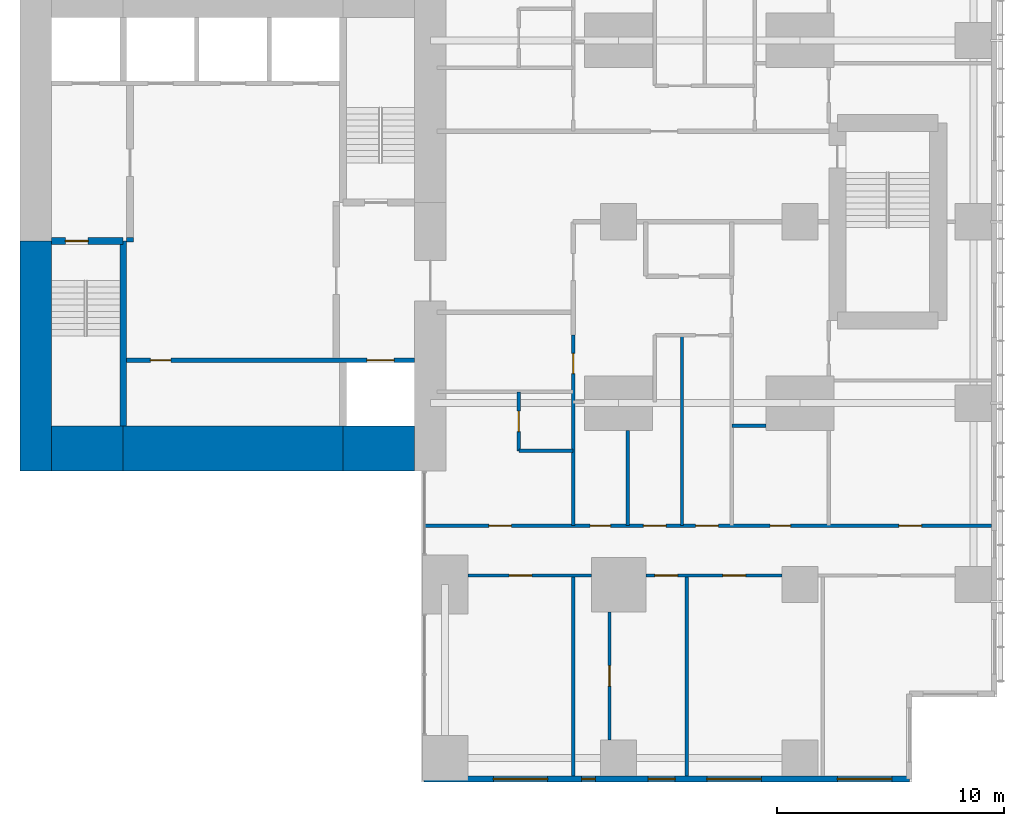
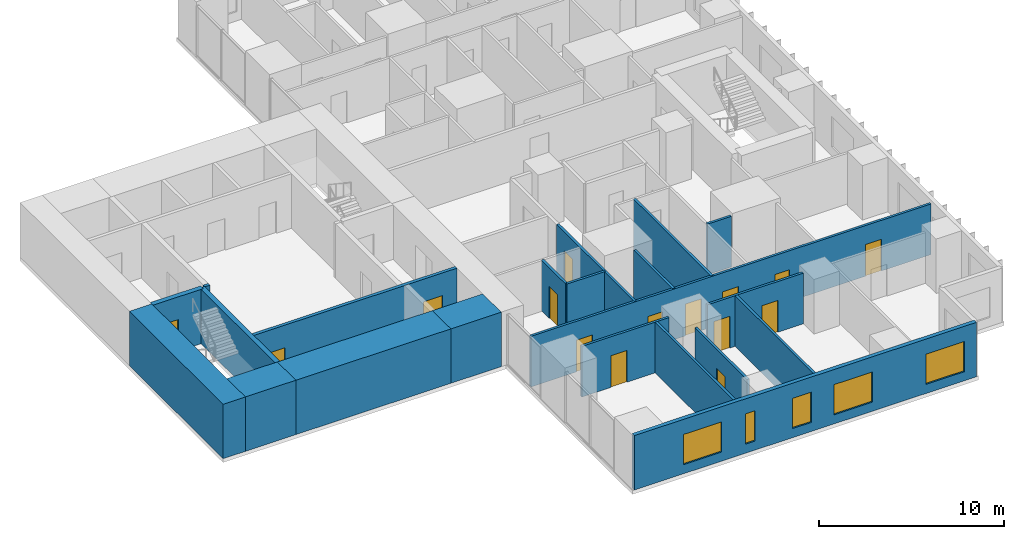
# One storey, part 7 of 12: 21 walls, 15 doors, 5 windows, 20 openings.
"""IFC4 building model written with IfcOpenShell, lengths in metres."""

from ifc_helpers import new_model, si_unit, direction, frame, frame_2d, origin, place, context, subcontext, project, spatial, rectangle, extrude, material, layer, layer_set, type_object, element, fill, save


model = new_model("IFC4")

# Units and contexts
model_context = context("Model", 3, precision=1e-05, world=origin(), true_north=direction((0.0, 1.0)))
body_context = subcontext(model_context, "Body", "Model", "MODEL_VIEW")
ifc_project = project(units=[si_unit("LENGTHUNIT", "METRE"), si_unit("AREAUNIT", "SQUARE_METRE"), si_unit("VOLUMEUNIT", "CUBIC_METRE"), si_unit("PLANEANGLEUNIT", "RADIAN"), si_unit("MASSUNIT", "GRAM", prefix="KILO")], contexts=[model_context])

# Site, building, storey
site_placement = place(None, origin())
site = spatial("IfcSite", under=ifc_project, at=site_placement, CompositionType="ELEMENT")
building_placement = place(site_placement, origin())
building = spatial("IfcBuilding", under=site, at=building_placement, Name="Cleftline Residences", CompositionType="ELEMENT")
storey_placement = place(building_placement, frame((0.0, 0.0, 244.800048828125)))
storey = spatial("IfcBuildingStorey", under=building, at=storey_placement, Name="L64", CompositionType="ELEMENT", Elevation=244.800048828125)

# Walls
ifc_material_1 = material(Name="Concrete B70", Category="concrete")
ifc_layer_1 = layer(ifc_material_1, 1.39990234375)
ifc_layer_set_1 = layer_set([ifc_layer_1], Name="CORE WALL 1400")
wall_type_1 = type_object("IfcWallType", Name="CORE WALL 1400", PredefinedType="SHEAR", material=ifc_layer_set_1)
wall_1_placement = place(storey_placement, frame((24.300048828125, 13.0, 0.0), z_axis=(0.0, 0.0, 1.0), x_axis=(0.0, 1.0, 0.0)))
element("IfcWall", 1, at=wall_1_placement, inside=storey, type_object=wall_type_1, Name="Core wall W0", PredefinedType="SHEAR", context=body_context, shape_type="SweptSolid", body=[
    extrude(rectangle(XDim=10.14990234375, YDim=1.39990234375, at=frame_2d((5.074951171875, 0.0))), origin(), (0.0, 0.0, 1.0), 3.599853515625),
])
ifc_material_2 = material(Name="Concrete B70", Category="concrete")
ifc_layer_2 = layer(ifc_material_2, 2.0)
ifc_layer_set_2 = layer_set([ifc_layer_2], Name="CORE WALL 2000")
wall_type_2 = type_object("IfcWallType", Name="CORE WALL 2000", PredefinedType="SHEAR", material=ifc_layer_set_2)
wall_2_placement = place(storey_placement, frame((25.0, 14.0, 0.0), z_axis=(0.0, 0.0, 1.0), x_axis=(1.0, 0.0, 0.0)))
element("IfcWall", 2, at=wall_2_placement, inside=storey, type_object=wall_type_2, Name="Core wall S1", PredefinedType="SHEAR", context=body_context, shape_type="SweptSolid", body=[
    extrude(rectangle(XDim=3.14990234375, YDim=2.0, at=frame_2d((1.574951171875, 0.0))), origin(), (0.0, 0.0, 1.0), 3.599853515625),
])
wall_3_placement = place(storey_placement, frame((28.14990234375, 14.0, 0.0), z_axis=(0.0, 0.0, 1.0), x_axis=(1.0, 0.0, 0.0)))
element("IfcWall", 3, at=wall_3_placement, inside=storey, type_object=wall_type_2, Name="Core wall S2", PredefinedType="SHEAR", context=body_context, shape_type="SweptSolid", body=[
    extrude(rectangle(XDim=9.7001953125, YDim=2.0, at=frame_2d((4.85009765625, 0.0))), origin(), (0.0, 0.0, 1.0), 3.599853515625),
])
wall_4_placement = place(storey_placement, frame((37.85009765625, 14.0, 0.0), z_axis=(0.0, 0.0, 1.0), x_axis=(1.0, 0.0, 0.0)))
element("IfcWall", 4, at=wall_4_placement, inside=storey, type_object=wall_type_2, Name="Core wall S3", PredefinedType="SHEAR", context=body_context, shape_type="SweptSolid", body=[
    extrude(rectangle(XDim=3.14990234375, YDim=2.0, at=frame_2d((1.574951171875, 0.0))), origin(), (0.0, 0.0, 1.0), 3.599853515625),
])
ifc_material_3 = material(Name="Concrete B70", Category="concrete")
ifc_layer_3 = layer(ifc_material_3, 0.300048828125)
ifc_layer_set_3 = layer_set([ifc_layer_3], Name="CORE WALL 300")
wall_type_3 = type_object("IfcWallType", Name="CORE WALL 300", PredefinedType="SHEAR", material=ifc_layer_set_3)
wall_5_placement = place(storey_placement, frame((28.14990234375, 15.0, 0.0), z_axis=(0.0, 0.0, 1.0), x_axis=(0.0, 1.0, 0.0)))
element("IfcWall", 5, at=wall_5_placement, inside=storey, type_object=wall_type_3, Name="Core wall SA-E", PredefinedType="SHEAR", context=body_context, shape_type="SweptSolid", body=[
    extrude(rectangle(XDim=8.14990234375, YDim=0.300048828125, at=frame_2d((4.074951171875, 0.0))), origin(), (0.0, 0.0, 1.0), 3.599853515625),
])

# Wall, opening, door
wall_6_placement = place(storey_placement, frame((25.0, 23.14990234375, 0.0), z_axis=(0.0, 0.0, 1.0), x_axis=(1.0, 0.0, 0.0)))
wall_6 = element("IfcWall", 6, at=wall_6_placement, inside=storey, type_object=wall_type_3, Name="Core wall SA-N", PredefinedType="SHEAR", context=body_context, shape_type="SweptSolid", body=[
    extrude(rectangle(XDim=3.14990234375, YDim=0.300048828125, at=frame_2d((1.574951171875, 0.0))), origin(), (0.0, 0.0, 1.0), 3.599853515625),
])
opening_1_placement = place(wall_6_placement, frame((0.60009765625, 0.0, 0.0)))
opening_1 = element("IfcOpeningElement", 7, at=opening_1_placement, cuts=wall_6, Name="Opening D5", PredefinedType="OPENING", context=body_context, shape_type="SweptSolid", body=[
    extrude(rectangle(XDim=1.0, YDim=2.10009765625, at=frame_2d((0.5, 1.050048828125))), frame((0.0, 0.159912109375, 0.0), z_axis=(0.0, -1.0, 0.0), x_axis=(1.0, 0.0, 0.0)), (0.0, 0.0, 1.0), 0.320068359375),
])
ifc_material_4 = material(Name="Steel", Category="steel")
door_type_1 = type_object("IfcDoorType", Name="STAIR DOOR 1000X2100", OperationType="SINGLE_SWING_LEFT", PredefinedType="DOOR", material=ifc_material_4)
door_1_placement = place(opening_1_placement, origin())
door_1 = element("IfcDoor", 8, at=door_1_placement, inside=storey, type_object=door_type_1, Name="Stair A door", OperationType="SINGLE_SWING_RIGHT", OverallHeight=2.10009765625, OverallWidth=1.0, PredefinedType="DOOR", context=body_context, shape_type="SweptSolid", body=[
    extrude(rectangle(XDim=1.0, YDim=2.10009765625, at=frame_2d((0.5, 1.050048828125))), frame((0.0, 0.02490234375, 0.0), z_axis=(0.0, -1.0, 0.0), x_axis=(1.0, 0.0, 0.0)), (0.0, 0.0, 1.0), 0.050048828125),
])
fill(opening_1, door_1)

# Wall, openings, windows
ifc_material_5 = material(Name="Rendered reinforced concrete blockwork", Category="masonry")
ifc_layer_4 = layer(ifc_material_5, 0.25)
ifc_layer_set_4 = layer_set([ifc_layer_4], Name="EXTERNAL WALL 250")
wall_type_4 = type_object("IfcWallType", Name="EXTERNAL WALL 250", PredefinedType="SOLIDWALL", material=ifc_layer_set_4)
wall_7_placement = place(storey_placement, frame((41.425048828125, -0.574951171875, 0.0), z_axis=(0.0, 0.0, 1.0), x_axis=(1.0, 0.0, 0.0)))
wall_7 = element("IfcWall", 9, at=wall_7_placement, inside=storey, type_object=wall_type_4, Name="External wall", PredefinedType="SOLIDWALL", context=body_context, shape_type="SweptSolid", body=[
    extrude(rectangle(XDim=21.39990234375, YDim=0.25, at=frame_2d((10.699951171875, 0.0))), origin(), (0.0, 0.0, 1.0), 3.599853515625),
])
opening_2_placement = place(wall_7_placement, frame((3.050048828125, 0.0, 0.60009765625)))
opening_2 = element("IfcOpeningElement", 10, at=opening_2_placement, cuts=wall_7, Name="Opening W6", PredefinedType="OPENING", context=body_context, shape_type="SweptSolid", body=[
    extrude(rectangle(XDim=2.39990234375, YDim=2.0, at=frame_2d((1.199951171875, 1.0))), frame((0.0, 0.135009765625, 0.0), z_axis=(0.0, -1.0, 0.0), x_axis=(1.0, 0.0, 0.0)), (0.0, 0.0, 1.0), 0.27001953125),
])
opening_3_placement = place(wall_7_placement, frame((6.949951171875, 0.0, 0.60009765625)))
opening_3 = element("IfcOpeningElement", 11, at=opening_3_placement, cuts=wall_7, Name="Opening W7", PredefinedType="OPENING", context=body_context, shape_type="SweptSolid", body=[
    extrude(rectangle(XDim=0.60009765625, YDim=2.0, at=frame_2d((0.300048828125, 1.0))), frame((0.0, 0.135009765625, 0.0), z_axis=(0.0, -1.0, 0.0), x_axis=(1.0, 0.0, 0.0)), (0.0, 0.0, 1.0), 0.27001953125),
])
opening_4_placement = place(wall_7_placement, frame((9.875, 0.0, 0.60009765625)))
opening_4 = element("IfcOpeningElement", 12, at=opening_4_placement, cuts=wall_7, Name="Opening W8", PredefinedType="OPENING", context=body_context, shape_type="SweptSolid", body=[
    extrude(rectangle(XDim=1.199951171875, YDim=2.0, at=frame_2d((0.60009765625, 1.0))), frame((0.0, 0.135009765625, 0.0), z_axis=(0.0, -1.0, 0.0), x_axis=(1.0, 0.0, 0.0)), (0.0, 0.0, 1.0), 0.27001953125),
])
opening_5_placement = place(wall_7_placement, frame((12.47509765625, 0.0, 0.60009765625)))
opening_5 = element("IfcOpeningElement", 13, at=opening_5_placement, cuts=wall_7, Name="Opening W6", PredefinedType="OPENING", context=body_context, shape_type="SweptSolid", body=[
    extrude(rectangle(XDim=2.39990234375, YDim=2.0, at=frame_2d((1.199951171875, 1.0))), frame((0.0, 0.135009765625, 0.0), z_axis=(0.0, -1.0, 0.0), x_axis=(1.0, 0.0, 0.0)), (0.0, 0.0, 1.0), 0.27001953125),
])
opening_6_placement = place(wall_7_placement, frame((18.22509765625, 0.0, 0.60009765625)))
opening_6 = element("IfcOpeningElement", 14, at=opening_6_placement, cuts=wall_7, Name="Opening W6", PredefinedType="OPENING", context=body_context, shape_type="SweptSolid", body=[
    extrude(rectangle(XDim=2.39990234375, YDim=2.0, at=frame_2d((1.199951171875, 1.0))), frame((0.0, 0.135009765625, 0.0), z_axis=(0.0, -1.0, 0.0), x_axis=(1.0, 0.0, 0.0)), (0.0, 0.0, 1.0), 0.27001953125),
])
ifc_material_6 = material(Name="Aluminium frame, clear double glazing", Category="aluminium")
window_type_1 = type_object("IfcWindowType", Name="WINDOW 1200X2000", PartitioningType="DOUBLE_PANEL_VERTICAL", PredefinedType="WINDOW", material=ifc_material_6)
window_1_placement = place(opening_4_placement, origin())
window_1 = element("IfcWindow", 15, at=window_1_placement, inside=storey, type_object=window_type_1, Name="Window", OverallHeight=2.0, OverallWidth=1.199951171875, PartitioningType="SINGLE_PANEL", PredefinedType="WINDOW", context=body_context, shape_type="SweptSolid", body=[
    extrude(rectangle(XDim=1.199951171875, YDim=2.0, at=frame_2d((0.60009765625, 1.0))), frame((0.0, 0.030029296875, 0.0), z_axis=(0.0, -1.0, 0.0), x_axis=(1.0, 0.0, 0.0)), (0.0, 0.0, 1.0), 0.06005859375),
])
fill(opening_4, window_1)
ifc_material_7 = material(Name="Aluminium frame, clear double glazing", Category="aluminium")
window_type_2 = type_object("IfcWindowType", Name="WINDOW 2400X2000", PartitioningType="DOUBLE_PANEL_VERTICAL", PredefinedType="WINDOW", material=ifc_material_7)
window_2_placement = place(opening_2_placement, origin())
window_2 = element("IfcWindow", 16, at=window_2_placement, inside=storey, type_object=window_type_2, Name="Window", OverallHeight=2.0, OverallWidth=2.39990234375, PartitioningType="SINGLE_PANEL", PredefinedType="WINDOW", context=body_context, shape_type="SweptSolid", body=[
    extrude(rectangle(XDim=2.39990234375, YDim=2.0, at=frame_2d((1.199951171875, 1.0))), frame((0.0, 0.030029296875, 0.0), z_axis=(0.0, -1.0, 0.0), x_axis=(1.0, 0.0, 0.0)), (0.0, 0.0, 1.0), 0.06005859375),
])
fill(opening_2, window_2)
window_3_placement = place(opening_5_placement, origin())
window_3 = element("IfcWindow", 17, at=window_3_placement, inside=storey, type_object=window_type_2, Name="Window", OverallHeight=2.0, OverallWidth=2.39990234375, PartitioningType="SINGLE_PANEL", PredefinedType="WINDOW", context=body_context, shape_type="SweptSolid", body=[
    extrude(rectangle(XDim=2.39990234375, YDim=2.0, at=frame_2d((1.199951171875, 1.0))), frame((0.0, 0.030029296875, 0.0), z_axis=(0.0, -1.0, 0.0), x_axis=(1.0, 0.0, 0.0)), (0.0, 0.0, 1.0), 0.06005859375),
])
fill(opening_5, window_3)
window_4_placement = place(opening_6_placement, origin())
window_4 = element("IfcWindow", 18, at=window_4_placement, inside=storey, type_object=window_type_2, Name="Window", OverallHeight=2.0, OverallWidth=2.39990234375, PartitioningType="SINGLE_PANEL", PredefinedType="WINDOW", context=body_context, shape_type="SweptSolid", body=[
    extrude(rectangle(XDim=2.39990234375, YDim=2.0, at=frame_2d((1.199951171875, 1.0))), frame((0.0, 0.030029296875, 0.0), z_axis=(0.0, -1.0, 0.0), x_axis=(1.0, 0.0, 0.0)), (0.0, 0.0, 1.0), 0.06005859375),
])
fill(opening_6, window_4)
ifc_material_8 = material(Name="Aluminium frame, clear double glazing", Category="aluminium")
window_type_3 = type_object("IfcWindowType", Name="WINDOW 600X2000", PartitioningType="DOUBLE_PANEL_VERTICAL", PredefinedType="WINDOW", material=ifc_material_8)
window_5_placement = place(opening_3_placement, origin())
window_5 = element("IfcWindow", 19, at=window_5_placement, inside=storey, type_object=window_type_3, Name="Window", OverallHeight=2.0, OverallWidth=0.60009765625, PartitioningType="SINGLE_PANEL", PredefinedType="WINDOW", context=body_context, shape_type="SweptSolid", body=[
    extrude(rectangle(XDim=0.60009765625, YDim=2.0, at=frame_2d((0.300048828125, 1.0))), frame((0.0, 0.030029296875, 0.0), z_axis=(0.0, -1.0, 0.0), x_axis=(1.0, 0.0, 0.0)), (0.0, 0.0, 1.0), 0.06005859375),
])
fill(opening_3, window_5)

# Wall
ifc_material_9 = material(Name="Concrete blockwork, fire rated", Category="masonry")
ifc_layer_5 = layer(ifc_material_9, 0.199951171875)
ifc_layer_set_5 = layer_set([ifc_layer_5], Name="FIRE WALL 200")
wall_type_5 = type_object("IfcWallType", Name="FIRE WALL 200", PredefinedType="PARTITIONING", material=ifc_layer_set_5)
wall_8_placement = place(storey_placement, frame((28.300048828125, 23.199951171875, 0.0), z_axis=(0.0, 0.0, 1.0), x_axis=(1.0, 0.0, 0.0)))
element("IfcWall", 20, at=wall_8_placement, inside=storey, type_object=wall_type_5, Name="Fire separating wall", PredefinedType="PARTITIONING", context=body_context, shape_type="SweptSolid", body=[
    extrude(rectangle(XDim=0.300048828125, YDim=0.199951171875, at=frame_2d((0.14990234375, 0.0))), origin(), (0.0, 0.0, 1.0), 3.599853515625),
])

# Wall, opening, door
ifc_material_10 = material(Name="Gypsum board on steel studs", Category="steel")
ifc_layer_6 = layer(ifc_material_10, 0.14990234375)
ifc_layer_set_6 = layer_set([ifc_layer_6], Name="PARTITION 150")
wall_type_6 = type_object("IfcWallType", Name="PARTITION 150", PredefinedType="PARTITIONING", material=ifc_layer_set_6)
wall_9_placement = place(storey_placement, frame((43.35009765625, 8.39990234375, 0.0), z_axis=(0.0, 0.0, 1.0), x_axis=(1.0, 0.0, 0.0)))
wall_9 = element("IfcWall", 21, at=wall_9_placement, inside=storey, type_object=wall_type_6, Name="Partition", PredefinedType="PARTITIONING", context=body_context, shape_type="SweptSolid", body=[
    extrude(rectangle(XDim=5.449951171875, YDim=0.14990234375, at=frame_2d((2.72509765625, 0.0))), origin(), (0.0, 0.0, 1.0), 3.349853515625),
])
opening_7_placement = place(wall_9_placement, frame((1.824951171875, 0.0, 0.0)))
opening_7 = element("IfcOpeningElement", 22, at=opening_7_placement, cuts=wall_9, Name="Opening D2", PredefinedType="OPENING", context=body_context, shape_type="SweptSolid", body=[
    extrude(rectangle(XDim=1.0, YDim=2.10009765625, at=frame_2d((0.5, 1.050048828125))), frame((0.0, 0.0849609375, 0.0), z_axis=(0.0, -1.0, 0.0), x_axis=(1.0, 0.0, 0.0)), (0.0, 0.0, 1.0), 0.169921875),
])
ifc_material_11 = material(Name="Timber veneer on solid core", Category="wood")
door_type_2 = type_object("IfcDoorType", Name="DOOR 1000X2100", OperationType="SINGLE_SWING_LEFT", PredefinedType="DOOR", material=ifc_material_11)
door_2_placement = place(opening_7_placement, origin())
door_2 = element("IfcDoor", 23, at=door_2_placement, inside=storey, type_object=door_type_2, Name="Door to breakfast room", OperationType="SINGLE_SWING_RIGHT", OverallHeight=2.10009765625, OverallWidth=1.0, PredefinedType="DOOR", context=body_context, shape_type="SweptSolid", body=[
    extrude(rectangle(XDim=1.0, YDim=2.10009765625, at=frame_2d((0.5, 1.050048828125))), frame((0.0, 0.02490234375, 0.0), z_axis=(0.0, -1.0, 0.0), x_axis=(1.0, 0.0, 0.0)), (0.0, 0.0, 1.0), 0.050048828125),
])
fill(opening_7, door_2)

# Wall, openings, doors
wall_10_placement = place(storey_placement, frame((51.199951171875, 8.39990234375, 0.0), z_axis=(0.0, 0.0, 1.0), x_axis=(1.0, 0.0, 0.0)))
wall_10 = element("IfcWall", 24, at=wall_10_placement, inside=storey, type_object=wall_type_6, Name="Partition", PredefinedType="PARTITIONING", context=body_context, shape_type="SweptSolid", body=[
    extrude(rectangle(XDim=6.0, YDim=0.14990234375, at=frame_2d((3.0, 0.0))), origin(), (0.0, 0.0, 1.0), 3.349853515625),
])
opening_8_placement = place(wall_10_placement, frame((3.39990234375, 0.0, 0.0)))
opening_8 = element("IfcOpeningElement", 25, at=opening_8_placement, cuts=wall_10, Name="Opening D2", PredefinedType="OPENING", context=body_context, shape_type="SweptSolid", body=[
    extrude(rectangle(XDim=1.0, YDim=2.10009765625, at=frame_2d((0.5, 1.050048828125))), frame((0.0, 0.0849609375, 0.0), z_axis=(0.0, -1.0, 0.0), x_axis=(1.0, 0.0, 0.0)), (0.0, 0.0, 1.0), 0.169921875),
])
opening_9_placement = place(wall_10_placement, frame((0.39990234375, 0.0, 0.0)))
opening_9 = element("IfcOpeningElement", 26, at=opening_9_placement, cuts=wall_10, Name="Opening D2", PredefinedType="OPENING", context=body_context, shape_type="SweptSolid", body=[
    extrude(rectangle(XDim=1.0, YDim=2.10009765625, at=frame_2d((0.5, 1.050048828125))), frame((0.0, 0.0849609375, 0.0), z_axis=(0.0, -1.0, 0.0), x_axis=(1.0, 0.0, 0.0)), (0.0, 0.0, 1.0), 0.169921875),
])
door_3_placement = place(opening_8_placement, origin())
door_3 = element("IfcDoor", 27, at=door_3_placement, inside=storey, type_object=door_type_2, Name="Door to dining room", OperationType="SINGLE_SWING_LEFT", OverallHeight=2.10009765625, OverallWidth=1.0, PredefinedType="DOOR", context=body_context, shape_type="SweptSolid", body=[
    extrude(rectangle(XDim=1.0, YDim=2.10009765625, at=frame_2d((0.5, 1.050048828125))), frame((0.0, 0.02490234375, 0.0), z_axis=(0.0, -1.0, 0.0), x_axis=(1.0, 0.0, 0.0)), (0.0, 0.0, 1.0), 0.050048828125),
])
fill(opening_8, door_3)
door_4_placement = place(opening_9_placement, origin())
door_4 = element("IfcDoor", 28, at=door_4_placement, inside=storey, type_object=door_type_2, Name="Door to show kitchen", OperationType="SINGLE_SWING_RIGHT", OverallHeight=2.10009765625, OverallWidth=1.0, PredefinedType="DOOR", context=body_context, shape_type="SweptSolid", body=[
    extrude(rectangle(XDim=1.0, YDim=2.10009765625, at=frame_2d((0.5, 1.050048828125))), frame((0.0, 0.02490234375, 0.0), z_axis=(0.0, -1.0, 0.0), x_axis=(1.0, 0.0, 0.0)), (0.0, 0.0, 1.0), 0.050048828125),
])
fill(opening_9, door_4)

wall_11_placement = place(storey_placement, frame((41.43896484375, 10.60009765625, 0.0), z_axis=(0.0, 0.0, 1.0), x_axis=(1.0, 0.0, 0.0)))
wall_11 = element("IfcWall", 29, at=wall_11_placement, inside=storey, type_object=wall_type_6, Name="Partition", PredefinedType="PARTITIONING", context=body_context, shape_type="SweptSolid", body=[
    extrude(rectangle(XDim=25.010986328125, YDim=0.14990234375, at=frame_2d((12.50537109375, 0.0))), origin(), (0.0, 0.0, 1.0), 3.349853515625),
])
opening_10_placement = place(wall_11_placement, frame((11.9609375, 0.0, 0.0)))
opening_10 = element("IfcOpeningElement", 30, at=opening_10_placement, cuts=wall_11, Name="Opening D2", PredefinedType="OPENING", context=body_context, shape_type="SweptSolid", body=[
    extrude(rectangle(XDim=1.0, YDim=2.10009765625, at=frame_2d((0.5, 1.050048828125))), frame((0.0, 0.0849609375, 0.0), z_axis=(0.0, -1.0, 0.0), x_axis=(1.0, 0.0, 0.0)), (0.0, 0.0, 1.0), 0.169921875),
])
opening_11_placement = place(wall_11_placement, frame((20.923583984375, 0.0, 0.0)))
opening_11 = element("IfcOpeningElement", 31, at=opening_11_placement, cuts=wall_11, Name="Opening D2", PredefinedType="OPENING", context=body_context, shape_type="SweptSolid", body=[
    extrude(rectangle(XDim=1.0, YDim=2.10009765625, at=frame_2d((0.5, 1.050048828125))), frame((0.0, 0.0849609375, 0.0), z_axis=(0.0, -1.0, 0.0), x_axis=(1.0, 0.0, 0.0)), (0.0, 0.0, 1.0), 0.169921875),
])
opening_12_placement = place(wall_11_placement, frame((15.24853515625, 0.0, 0.0)))
opening_12 = element("IfcOpeningElement", 32, at=opening_12_placement, cuts=wall_11, Name="Opening D1", PredefinedType="OPENING", context=body_context, shape_type="SweptSolid", body=[
    extrude(rectangle(XDim=0.89990234375, YDim=2.10009765625, at=frame_2d((0.449951171875, 1.050048828125))), frame((0.0, 0.0849609375, 0.0), z_axis=(0.0, -1.0, 0.0), x_axis=(1.0, 0.0, 0.0)), (0.0, 0.0, 1.0), 0.169921875),
])
opening_13_placement = place(wall_11_placement, frame((9.660888671875, 0.0, 0.0)))
opening_13 = element("IfcOpeningElement", 33, at=opening_13_placement, cuts=wall_11, Name="Opening D2", PredefinedType="OPENING", context=body_context, shape_type="SweptSolid", body=[
    extrude(rectangle(XDim=1.0, YDim=2.10009765625, at=frame_2d((0.5, 1.050048828125))), frame((0.0, 0.0849609375, 0.0), z_axis=(0.0, -1.0, 0.0), x_axis=(1.0, 0.0, 0.0)), (0.0, 0.0, 1.0), 0.169921875),
])
opening_14_placement = place(wall_11_placement, frame((7.31103515625, 0.0, 0.0)))
opening_14 = element("IfcOpeningElement", 34, at=opening_14_placement, cuts=wall_11, Name="Opening D1", PredefinedType="OPENING", context=body_context, shape_type="SweptSolid", body=[
    extrude(rectangle(XDim=0.89990234375, YDim=2.10009765625, at=frame_2d((0.449951171875, 1.050048828125))), frame((0.0, 0.0849609375, 0.0), z_axis=(0.0, -1.0, 0.0), x_axis=(1.0, 0.0, 0.0)), (0.0, 0.0, 1.0), 0.169921875),
])
opening_15_placement = place(wall_11_placement, frame((2.8359375, 0.0, 0.0)))
opening_15 = element("IfcOpeningElement", 35, at=opening_15_placement, cuts=wall_11, Name="Opening D2", PredefinedType="OPENING", context=body_context, shape_type="SweptSolid", body=[
    extrude(rectangle(XDim=1.0, YDim=2.10009765625, at=frame_2d((0.5, 1.050048828125))), frame((0.0, 0.0849609375, 0.0), z_axis=(0.0, -1.0, 0.0), x_axis=(1.0, 0.0, 0.0)), (0.0, 0.0, 1.0), 0.169921875),
])
door_5_placement = place(opening_10_placement, origin())
door_5 = element("IfcDoor", 36, at=door_5_placement, inside=storey, type_object=door_type_2, Name="Door to residence hall", OperationType="SINGLE_SWING_RIGHT", OverallHeight=2.10009765625, OverallWidth=1.0, PredefinedType="DOOR", context=body_context, shape_type="SweptSolid", body=[
    extrude(rectangle(XDim=1.0, YDim=2.10009765625, at=frame_2d((0.5, 1.050048828125))), frame((0.0, 0.02490234375, 0.0), z_axis=(0.0, -1.0, 0.0), x_axis=(1.0, 0.0, 0.0)), (0.0, 0.0, 1.0), 0.050048828125),
])
fill(opening_10, door_5)
door_6_placement = place(opening_11_placement, origin())
door_6 = element("IfcDoor", 37, at=door_6_placement, inside=storey, type_object=door_type_2, Name="Door to sea-view great room", OperationType="SINGLE_SWING_LEFT", OverallHeight=2.10009765625, OverallWidth=1.0, PredefinedType="DOOR", context=body_context, shape_type="SweptSolid", body=[
    extrude(rectangle(XDim=1.0, YDim=2.10009765625, at=frame_2d((0.5, 1.050048828125))), frame((0.0, 0.02490234375, 0.0), z_axis=(0.0, -1.0, 0.0), x_axis=(1.0, 0.0, 0.0)), (0.0, 0.0, 1.0), 0.050048828125),
])
fill(opening_11, door_6)
door_7_placement = place(opening_13_placement, origin())
door_7 = element("IfcDoor", 38, at=door_7_placement, inside=storey, type_object=door_type_2, Name="Door to wet kitchen", OperationType="SINGLE_SWING_RIGHT", OverallHeight=2.10009765625, OverallWidth=1.0, PredefinedType="DOOR", context=body_context, shape_type="SweptSolid", body=[
    extrude(rectangle(XDim=1.0, YDim=2.10009765625, at=frame_2d((0.5, 1.050048828125))), frame((0.0, 0.02490234375, 0.0), z_axis=(0.0, -1.0, 0.0), x_axis=(1.0, 0.0, 0.0)), (0.0, 0.0, 1.0), 0.050048828125),
])
fill(opening_13, door_7)
door_8_placement = place(opening_15_placement, origin())
door_8 = element("IfcDoor", 39, at=door_8_placement, inside=storey, type_object=door_type_2, Name="Door to staff bedroom", OperationType="SINGLE_SWING_RIGHT", OverallHeight=2.10009765625, OverallWidth=1.0, PredefinedType="DOOR", context=body_context, shape_type="SweptSolid", body=[
    extrude(rectangle(XDim=1.0, YDim=2.10009765625, at=frame_2d((0.5, 1.050048828125))), frame((0.0, 0.02490234375, 0.0), z_axis=(0.0, -1.0, 0.0), x_axis=(1.0, 0.0, 0.0)), (0.0, 0.0, 1.0), 0.050048828125),
])
fill(opening_15, door_8)
ifc_material_12 = material(Name="Timber veneer on solid core", Category="wood")
door_type_3 = type_object("IfcDoorType", Name="DOOR 900X2100", OperationType="SINGLE_SWING_LEFT", PredefinedType="DOOR", material=ifc_material_12)
door_9_placement = place(opening_12_placement, origin())
door_9 = element("IfcDoor", 40, at=door_9_placement, inside=storey, type_object=door_type_3, Name="Door to wine room", OperationType="SINGLE_SWING_LEFT", OverallHeight=2.10009765625, OverallWidth=0.89990234375, PredefinedType="DOOR", context=body_context, shape_type="SweptSolid", body=[
    extrude(rectangle(XDim=0.89990234375, YDim=2.10009765625, at=frame_2d((0.449951171875, 1.050048828125))), frame((0.0, 0.02490234375, 0.0), z_axis=(0.0, -1.0, 0.0), x_axis=(1.0, 0.0, 0.0)), (0.0, 0.0, 1.0), 0.050048828125),
])
fill(opening_12, door_9)
door_10_placement = place(opening_14_placement, origin())
door_10 = element("IfcDoor", 41, at=door_10_placement, inside=storey, type_object=door_type_3, Name="Door to pantry", OperationType="SINGLE_SWING_RIGHT", OverallHeight=2.10009765625, OverallWidth=0.89990234375, PredefinedType="DOOR", context=body_context, shape_type="SweptSolid", body=[
    extrude(rectangle(XDim=0.89990234375, YDim=2.10009765625, at=frame_2d((0.449951171875, 1.050048828125))), frame((0.0, 0.02490234375, 0.0), z_axis=(0.0, -1.0, 0.0), x_axis=(1.0, 0.0, 0.0)), (0.0, 0.0, 1.0), 0.050048828125),
])
fill(opening_14, door_10)

# Walls
wall_12_placement = place(storey_placement, frame((45.60009765625, 13.89990234375, 0.0), z_axis=(0.0, 0.0, 1.0), x_axis=(1.0, 0.0, 0.0)))
element("IfcWall", 42, at=wall_12_placement, inside=storey, type_object=wall_type_6, Name="Partition", PredefinedType="PARTITIONING", context=body_context, shape_type="SweptSolid", body=[
    extrude(rectangle(XDim=2.39990234375, YDim=0.14990234375, at=frame_2d((1.199951171875, 0.0))), origin(), (0.0, 0.0, 1.0), 3.349853515625),
])
wall_13_placement = place(storey_placement, frame((55.0, 15.0, 0.0), z_axis=(0.0, 0.0, 1.0), x_axis=(1.0, 0.0, 0.0)))
element("IfcWall", 43, at=wall_13_placement, inside=storey, type_object=wall_type_6, Name="Partition", PredefinedType="PARTITIONING", context=body_context, shape_type="SweptSolid", body=[
    extrude(rectangle(XDim=1.5, YDim=0.14990234375, at=frame_2d((0.75, 0.0))), origin(), (0.0, 0.0, 1.0), 3.349853515625),
])

# Wall, opening, door
wall_14_placement = place(storey_placement, frame((45.60009765625, 13.89990234375, 0.0), z_axis=(0.0, 0.0, 1.0), x_axis=(0.0, 1.0, 0.0)))
wall_14 = element("IfcWall", 44, at=wall_14_placement, inside=storey, type_object=wall_type_6, Name="Partition", PredefinedType="PARTITIONING", context=body_context, shape_type="SweptSolid", body=[
    extrude(rectangle(XDim=2.60009765625, YDim=0.14990234375, at=frame_2d((1.300048828125, 0.0))), origin(), (0.0, 0.0, 1.0), 3.349853515625),
])
opening_16_placement = place(wall_14_placement, frame((0.85009765625, 0.0, 0.0)))
opening_16 = element("IfcOpeningElement", 45, at=opening_16_placement, cuts=wall_14, Name="Opening D1", PredefinedType="OPENING", context=body_context, shape_type="SweptSolid", body=[
    extrude(rectangle(XDim=0.89990234375, YDim=2.10009765625, at=frame_2d((0.449951171875, 1.050048828125))), frame((0.0, 0.0849609375, 0.0), z_axis=(0.0, -1.0, 0.0), x_axis=(1.0, 0.0, 0.0)), (0.0, 0.0, 1.0), 0.169921875),
])
door_11_placement = place(opening_16_placement, origin())
door_11 = element("IfcDoor", 46, at=door_11_placement, inside=storey, type_object=door_type_3, Name="Door to staff shower room", OperationType="SINGLE_SWING_LEFT", OverallHeight=2.10009765625, OverallWidth=0.89990234375, PredefinedType="DOOR", context=body_context, shape_type="SweptSolid", body=[
    extrude(rectangle(XDim=0.89990234375, YDim=2.10009765625, at=frame_2d((0.449951171875, 1.050048828125))), frame((0.0, 0.02490234375, 0.0), z_axis=(0.0, -1.0, 0.0), x_axis=(1.0, 0.0, 0.0)), (0.0, 0.0, 1.0), 0.050048828125),
])
fill(opening_16, door_11)

# Wall
wall_15_placement = place(storey_placement, frame((48.0, -0.449951171875, 0.0), z_axis=(0.0, 0.0, 1.0), x_axis=(0.0, 1.0, 0.0)))
element("IfcWall", 47, at=wall_15_placement, inside=storey, type_object=wall_type_6, Name="Partition", PredefinedType="PARTITIONING", context=body_context, shape_type="SweptSolid", body=[
    extrude(rectangle(XDim=8.849853515625, YDim=0.14990234375, at=frame_2d((4.4248046875, 0.0))), origin(), (0.0, 0.0, 1.0), 3.349853515625),
])

# Wall, opening, door
wall_16_placement = place(storey_placement, frame((48.0, 10.60009765625, 0.0), z_axis=(0.0, 0.0, 1.0), x_axis=(0.0, 1.0, 0.0)))
wall_16 = element("IfcWall", 48, at=wall_16_placement, inside=storey, type_object=wall_type_6, Name="Partition", PredefinedType="PARTITIONING", context=body_context, shape_type="SweptSolid", body=[
    extrude(rectangle(XDim=8.39990234375, YDim=0.14990234375, at=frame_2d((4.199951171875, 0.0))), origin(), (0.0, 0.0, 1.0), 3.349853515625),
])
opening_17_placement = place(wall_16_placement, frame((6.699951171875, 0.0, 0.0)))
opening_17 = element("IfcOpeningElement", 49, at=opening_17_placement, cuts=wall_16, Name="Opening D1", PredefinedType="OPENING", context=body_context, shape_type="SweptSolid", body=[
    extrude(rectangle(XDim=0.89990234375, YDim=2.10009765625, at=frame_2d((0.449951171875, 1.050048828125))), frame((0.0, 0.0849609375, 0.0), z_axis=(0.0, -1.0, 0.0), x_axis=(1.0, 0.0, 0.0)), (0.0, 0.0, 1.0), 0.169921875),
])
door_12_placement = place(opening_17_placement, origin())
door_12 = element("IfcDoor", 50, at=door_12_placement, inside=storey, type_object=door_type_3, Name="Door to drying loggia", OperationType="SINGLE_SWING_LEFT", OverallHeight=2.10009765625, OverallWidth=0.89990234375, PredefinedType="DOOR", context=body_context, shape_type="SweptSolid", body=[
    extrude(rectangle(XDim=0.89990234375, YDim=2.10009765625, at=frame_2d((0.449951171875, 1.050048828125))), frame((0.0, 0.02490234375, 0.0), z_axis=(0.0, -1.0, 0.0), x_axis=(1.0, 0.0, 0.0)), (0.0, 0.0, 1.0), 0.050048828125),
])
fill(opening_17, door_12)

wall_17_placement = place(storey_placement, frame((49.60009765625, 1.14990234375, 0.0), z_axis=(0.0, 0.0, 1.0), x_axis=(0.0, 1.0, 0.0)))
wall_17 = element("IfcWall", 51, at=wall_17_placement, inside=storey, type_object=wall_type_6, Name="Partition", PredefinedType="PARTITIONING", context=body_context, shape_type="SweptSolid", body=[
    extrude(rectangle(XDim=5.650146484375, YDim=0.14990234375, at=frame_2d((2.8251953125, 0.0))), origin(), (0.0, 0.0, 1.0), 3.349853515625),
])
opening_18_placement = place(wall_17_placement, frame((2.375, 0.0, 0.0)))
opening_18 = element("IfcOpeningElement", 52, at=opening_18_placement, cuts=wall_17, Name="Opening D1", PredefinedType="OPENING", context=body_context, shape_type="SweptSolid", body=[
    extrude(rectangle(XDim=0.89990234375, YDim=2.10009765625, at=frame_2d((0.449951171875, 1.050048828125))), frame((0.0, 0.0849609375, 0.0), z_axis=(0.0, -1.0, 0.0), x_axis=(1.0, 0.0, 0.0)), (0.0, 0.0, 1.0), 0.169921875),
])
door_13_placement = place(opening_18_placement, origin())
door_13 = element("IfcDoor", 53, at=door_13_placement, inside=storey, type_object=door_type_3, Name="Door to larder", OperationType="SINGLE_SWING_LEFT", OverallHeight=2.10009765625, OverallWidth=0.89990234375, PredefinedType="DOOR", context=body_context, shape_type="SweptSolid", body=[
    extrude(rectangle(XDim=0.89990234375, YDim=2.10009765625, at=frame_2d((0.449951171875, 1.050048828125))), frame((0.0, 0.02490234375, 0.0), z_axis=(0.0, -1.0, 0.0), x_axis=(1.0, 0.0, 0.0)), (0.0, 0.0, 1.0), 0.050048828125),
])
fill(opening_18, door_13)

# Walls
wall_18_placement = place(storey_placement, frame((50.39990234375, 10.60009765625, 0.0), z_axis=(0.0, 0.0, 1.0), x_axis=(0.0, 1.0, 0.0)))
element("IfcWall", 54, at=wall_18_placement, inside=storey, type_object=wall_type_6, Name="Partition", PredefinedType="PARTITIONING", context=body_context, shape_type="SweptSolid", body=[
    extrude(rectangle(XDim=4.199951171875, YDim=0.14990234375, at=frame_2d((2.10009765625, 0.0))), origin(), (0.0, 0.0, 1.0), 3.349853515625),
])
wall_19_placement = place(storey_placement, frame((52.800048828125, 10.60009765625, 0.0), z_axis=(0.0, 0.0, 1.0), x_axis=(0.0, 1.0, 0.0)))
element("IfcWall", 55, at=wall_19_placement, inside=storey, type_object=wall_type_6, Name="Partition", PredefinedType="PARTITIONING", context=body_context, shape_type="SweptSolid", body=[
    extrude(rectangle(XDim=8.39990234375, YDim=0.14990234375, at=frame_2d((4.199951171875, 0.0))), origin(), (0.0, 0.0, 1.0), 3.349853515625),
])
wall_20_placement = place(storey_placement, frame((53.0, -0.449951171875, 0.0), z_axis=(0.0, 0.0, 1.0), x_axis=(0.0, 1.0, 0.0)))
element("IfcWall", 56, at=wall_20_placement, inside=storey, type_object=wall_type_6, Name="Partition", PredefinedType="PARTITIONING", context=body_context, shape_type="SweptSolid", body=[
    extrude(rectangle(XDim=8.849853515625, YDim=0.14990234375, at=frame_2d((4.4248046875, 0.0))), origin(), (0.0, 0.0, 1.0), 3.349853515625),
])

# Wall, openings, doors
ifc_material_13 = material(Name="Concrete blockwork, fire rated", Category="masonry")
ifc_layer_7 = layer(ifc_material_13, 0.199951171875)
ifc_layer_set_7 = layer_set([ifc_layer_7], Name="SHAFT WALL 200")
wall_type_7 = type_object("IfcWallType", Name="SHAFT WALL 200", PredefinedType="PARTITIONING", material=ifc_layer_set_7)
wall_21_placement = place(storey_placement, frame((28.300048828125, 17.89990234375, 0.0), z_axis=(0.0, 0.0, 1.0), x_axis=(1.0, 0.0, 0.0)))
wall_21 = element("IfcWall", 57, at=wall_21_placement, inside=storey, type_object=wall_type_7, Name="Core room wall", PredefinedType="PARTITIONING", context=body_context, shape_type="SweptSolid", body=[
    extrude(rectangle(XDim=12.699951171875, YDim=0.199951171875, at=frame_2d((6.35009765625, 0.0))), origin(), (0.0, 0.0, 1.0), 3.599853515625),
])
opening_19_placement = place(wall_21_placement, frame((1.050048828125, 0.0, 0.0)))
opening_19 = element("IfcOpeningElement", 58, at=opening_19_placement, cuts=wall_21, Name="Opening D1F30", PredefinedType="OPENING", context=body_context, shape_type="SweptSolid", body=[
    extrude(rectangle(XDim=0.89990234375, YDim=2.10009765625, at=frame_2d((0.449951171875, 1.050048828125))), frame((0.0, 0.10986328125, 0.0), z_axis=(0.0, -1.0, 0.0), x_axis=(1.0, 0.0, 0.0)), (0.0, 0.0, 1.0), 0.219970703125),
])
opening_20_placement = place(wall_21_placement, frame((10.60009765625, 0.0, 0.0)))
opening_20 = element("IfcOpeningElement", 59, at=opening_20_placement, cuts=wall_21, Name="Opening LD2", PredefinedType="OPENING", context=body_context, shape_type="SweptSolid", body=[
    extrude(rectangle(XDim=1.199951171875, YDim=2.10009765625, at=frame_2d((0.60009765625, 1.050048828125))), frame((0.0, 0.10986328125, 0.0), z_axis=(0.0, -1.0, 0.0), x_axis=(1.0, 0.0, 0.0)), (0.0, 0.0, 1.0), 0.219970703125),
])
ifc_material_14 = material(Name="Timber veneer on solid core", Category="wood")
door_type_4 = type_object("IfcDoorType", Name="DOOR 900X2100 EI 30", OperationType="SINGLE_SWING_LEFT", PredefinedType="DOOR", material=ifc_material_14)
door_14_placement = place(opening_19_placement, origin())
door_14 = element("IfcDoor", 60, at=door_14_placement, inside=storey, type_object=door_type_4, Name="Door to cleaner's store", OperationType="SINGLE_SWING_RIGHT", OverallHeight=2.10009765625, OverallWidth=0.89990234375, PredefinedType="DOOR", context=body_context, shape_type="SweptSolid", body=[
    extrude(rectangle(XDim=0.89990234375, YDim=2.10009765625, at=frame_2d((0.449951171875, 1.050048828125))), frame((0.0, 0.02490234375, 0.0), z_axis=(0.0, -1.0, 0.0), x_axis=(1.0, 0.0, 0.0)), (0.0, 0.0, 1.0), 0.050048828125),
])
fill(opening_19, door_14)
ifc_material_15 = material(Name="Steel", Category="steel")
door_type_5 = type_object("IfcDoorType", Name="FIREFIGHTING LIFT LANDING DOOR 1200X2100", OperationType="SLIDING_TO_LEFT", PredefinedType="DOOR", material=ifc_material_15)
door_15_placement = place(opening_20_placement, origin())
door_15 = element("IfcDoor", 61, at=door_15_placement, inside=storey, type_object=door_type_5, Name="Lift FL2 landing door", OperationType="SLIDING_TO_LEFT", OverallHeight=2.10009765625, OverallWidth=1.199951171875, PredefinedType="DOOR", context=body_context, shape_type="SweptSolid", body=[
    extrude(rectangle(XDim=1.199951171875, YDim=2.10009765625, at=frame_2d((0.60009765625, 1.050048828125))), frame((0.0, 0.02490234375, 0.0), z_axis=(0.0, -1.0, 0.0), x_axis=(1.0, 0.0, 0.0)), (0.0, 0.0, 1.0), 0.050048828125),
])
fill(opening_20, door_15)

save(model, "model.ifc")
